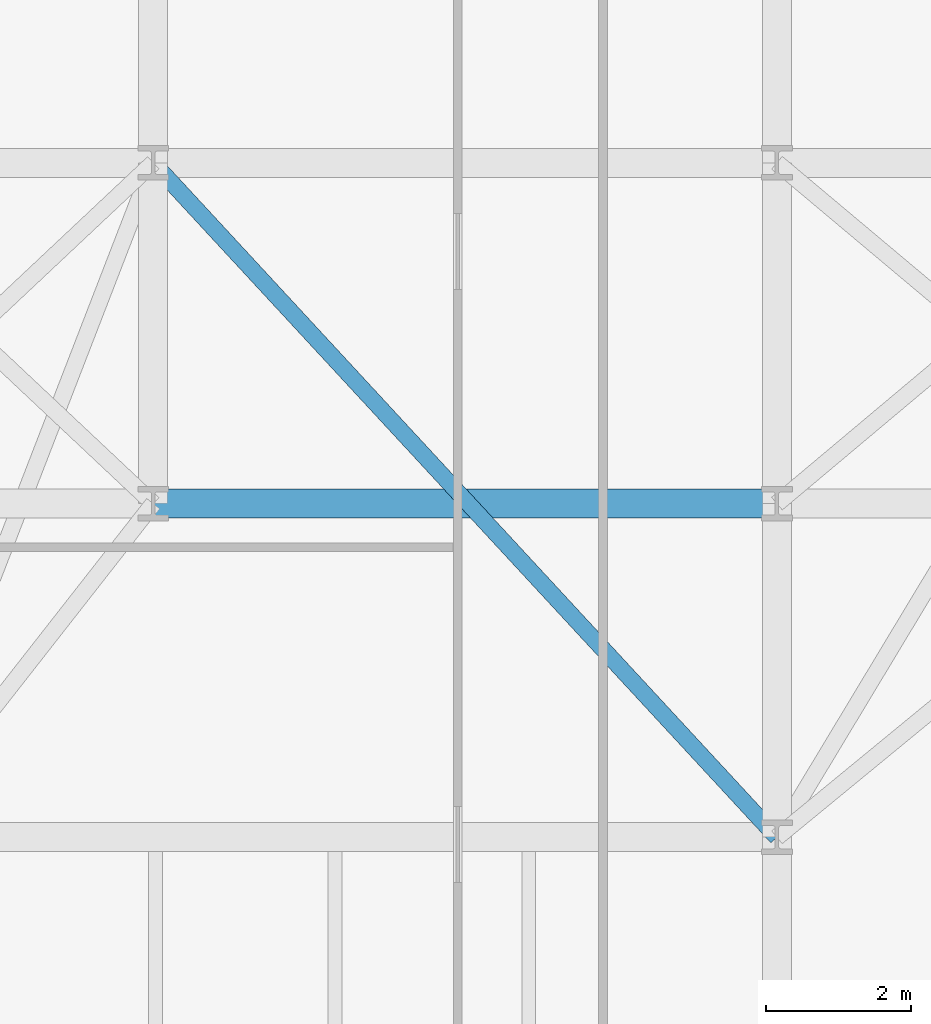
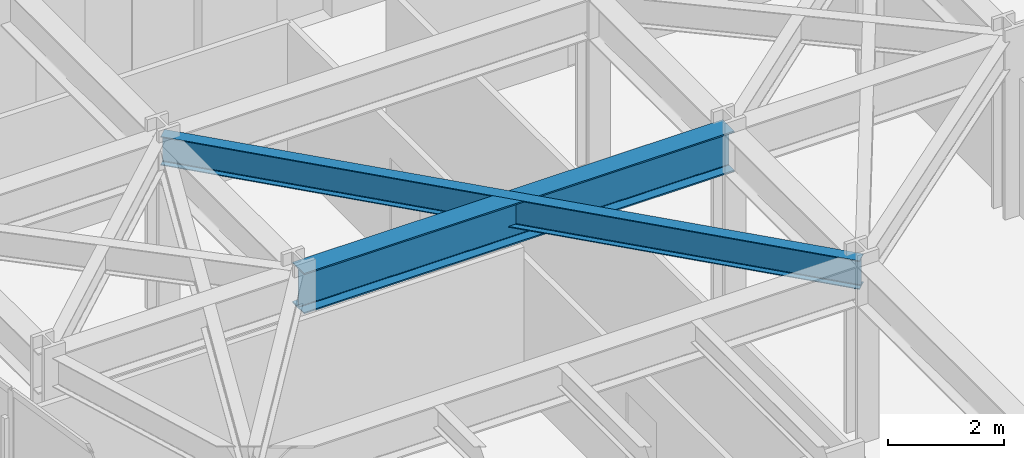
# One storey, part 10 of 26: 2 beams.
"""IFC4 building model written with IfcOpenShell, lengths in metres."""

from ifc_helpers import new_model, si_unit, direction, frame, origin, origin_2d, place, context, subcontext, project, spatial, i_section, extrude, material, material_profile, profile_set, type_object, element, save


model = new_model("IFC4")

# Units and contexts
model_context = context("Model", 3, precision=1e-05, world=origin(), true_north=direction((0.0, 1.0)))
body_context = subcontext(model_context, "Body", "Model", "MODEL_VIEW")
ifc_project = project(units=[si_unit("LENGTHUNIT", "METRE"), si_unit("AREAUNIT", "SQUARE_METRE"), si_unit("VOLUMEUNIT", "CUBIC_METRE"), si_unit("PLANEANGLEUNIT", "RADIAN"), si_unit("MASSUNIT", "GRAM", prefix="KILO")], contexts=[model_context])

# Site, building, storey
site_placement = place(None, origin())
site = spatial("IfcSite", under=ifc_project, at=site_placement, CompositionType="ELEMENT")
building_placement = place(site_placement, origin())
building = spatial("IfcBuilding", under=site, at=building_placement, Name="Kravanh Interchange Tower", CompositionType="ELEMENT")
storey_placement = place(building_placement, frame((0.0, 0.0, 116.0)))
storey = spatial("IfcBuildingStorey", under=building, at=storey_placement, Name="L27", CompositionType="ELEMENT", Elevation=116.0)

# Beams
ifc_material_1 = material(Name="Structural Steel S355", Category="steel")
ifc_material_profile_1 = material_profile(ifc_material_1, i_section(OverallWidth=0.39990234375, OverallDepth=0.85595703125, WebThickness=0.018310546875, FlangeThickness=0.029296875, FilletRadius=0.02490234375, at=origin_2d()), Name="W33X201")
ifc_profile_set_1 = profile_set([ifc_material_profile_1], Name="Structural Steel S355")
beam_type_1 = type_object("IfcBeamType", Name="Floor Beam W33X201 Structural Steel S355", PredefinedType="BEAM", material=ifc_profile_set_1)
beam_1_placement = place(storey_placement, frame((18.60009765625, 26.800048828125, 3.322021484375), z_axis=(1.0, 0.0, 0.0), x_axis=(0.0, 1.0, 0.0)))
element("IfcBeam", 1, at=beam_1_placement, inside=storey, type_object=beam_type_1, Name="L27 Primary Floor Girder 44", PredefinedType="BEAM", context=body_context, shape_type="SweptSolid", body=[
    extrude(i_section(OverallWidth=0.39990234375, OverallDepth=0.85595703125, WebThickness=0.018310546875, FlangeThickness=0.029296875, FilletRadius=0.02490234375, at=origin_2d()), origin(), (0.0, 0.0, 1.0), 8.599853515625),
])
ifc_material_2 = material(Name="Structural Steel S355", Category="steel")
ifc_material_profile_2 = material_profile(ifc_material_2, i_section(OverallWidth=0.22802734375, OverallDepth=0.60791015625, WebThickness=0.01123046875, FlangeThickness=0.017333984375, FilletRadius=0.02197265625, at=origin_2d()), Name="W24X76")
ifc_profile_set_2 = profile_set([ifc_material_profile_2], Name="Structural Steel S355")
beam_type_2 = type_object("IfcBeamType", Name="Floor Spandrel W24X76 Structural Steel S355", PredefinedType="SPANDREL", material=ifc_profile_set_2)
beam_2_placement = place(storey_placement, frame((18.60009765625, 31.5, 3.446044921875), z_axis=(0.678927458783, -0.734205356634, 0.0), x_axis=(0.734205356634, 0.678927458783, 0.0)))
element("IfcBeam", 2, at=beam_2_placement, inside=storey, type_object=beam_type_2, Name="L27 Perimeter Spandrel 73", PredefinedType="SPANDREL", context=body_context, shape_type="SweptSolid", body=[
    extrude(i_section(OverallWidth=0.22802734375, OverallDepth=0.60791015625, WebThickness=0.01123046875, FlangeThickness=0.017333984375, FilletRadius=0.02197265625, at=origin_2d()), origin(), (0.0, 0.0, 1.0), 12.666748046875),
])

save(model, "model.ifc")
